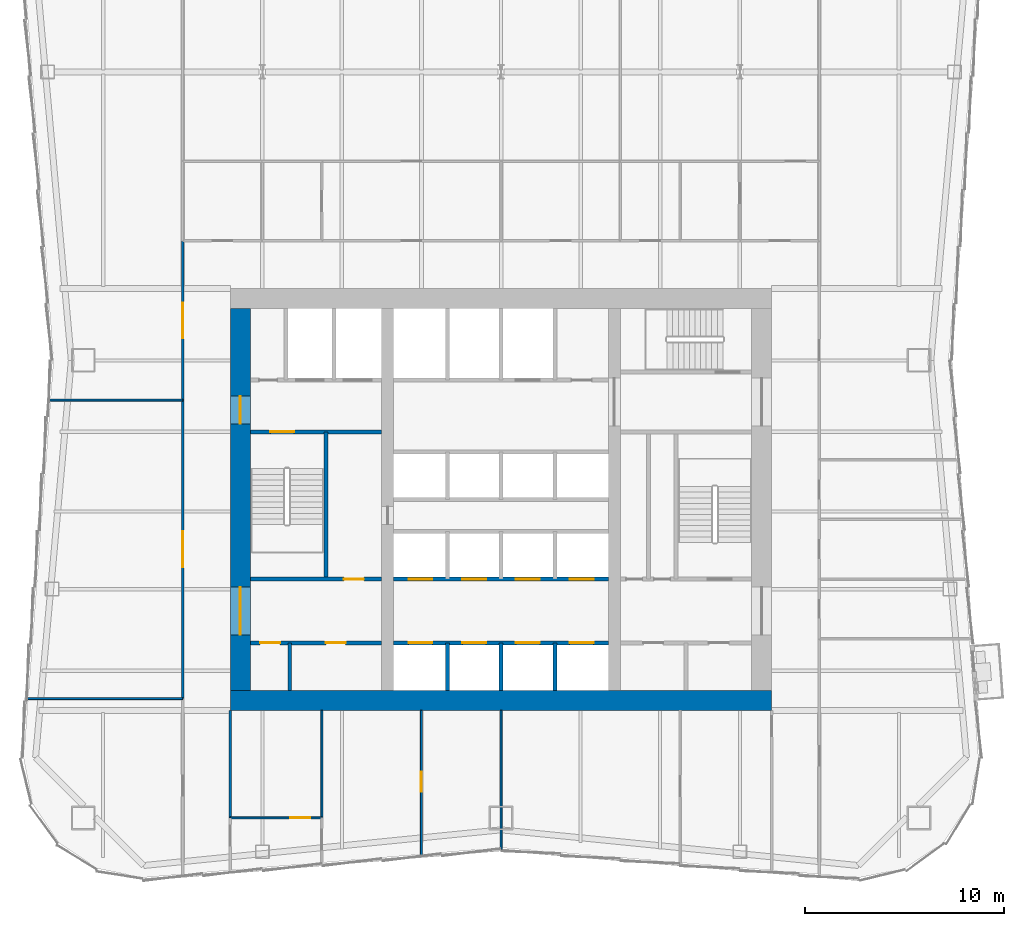
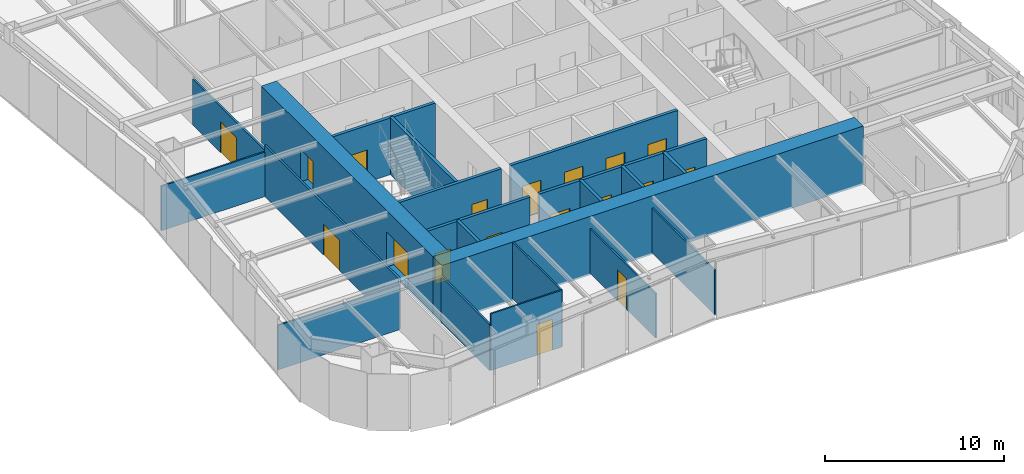
# One storey, part 4 of 9: 21 walls, 18 doors, 18 openings.
"""IFC4 building model written with IfcOpenShell, lengths in metres."""

from ifc_helpers import new_model, si_unit, direction, frame, frame_2d, origin, place, context, subcontext, project, spatial, rectangle, extrude, material, layer, layer_set, type_object, element, fill, save


model = new_model("IFC4")

# Units and contexts
model_context = context("Model", 3, precision=1e-05, world=origin(), true_north=direction((0.0, 1.0)))
body_context = subcontext(model_context, "Body", "Model", "MODEL_VIEW")
ifc_project = project(units=[si_unit("LENGTHUNIT", "METRE"), si_unit("AREAUNIT", "SQUARE_METRE"), si_unit("VOLUMEUNIT", "CUBIC_METRE"), si_unit("PLANEANGLEUNIT", "RADIAN"), si_unit("MASSUNIT", "GRAM", prefix="KILO")], contexts=[model_context])

# Site, building, storey
site_placement = place(None, origin())
site = spatial("IfcSite", under=ifc_project, at=site_placement, CompositionType="ELEMENT")
building_placement = place(site_placement, origin())
building = spatial("IfcBuilding", under=site, at=building_placement, Name="Verdant Reach Tower", CompositionType="ELEMENT")
storey_placement = place(building_placement, frame((0.0, 0.0, 142.0)))
storey = spatial("IfcBuildingStorey", under=building, at=storey_placement, Name="L32", CompositionType="ELEMENT", Elevation=142.0)

# Wall, openings, doors
ifc_material_1 = material(Name="Gypsum board on steel studs", Category="steel")
ifc_layer_1 = layer(ifc_material_1, 0.199951171875)
ifc_layer_set_1 = layer_set([ifc_layer_1], Name="CO-WALL-ROOM")
wall_type_1 = type_object("IfcWallType", Name="CO-WALL-ROOM", PredefinedType="PARTITIONING", material=ifc_layer_set_1)
wall_1_placement = place(storey_placement, frame((-12.60009765625, 20.800048828125, 0.0), z_axis=(0.0, 0.0, 1.0), x_axis=(1.0, 0.0, 0.0)))
wall_1 = element("IfcWall", 1, at=wall_1_placement, inside=storey, type_object=wall_type_1, Name="Core partition, L32", PredefinedType="PARTITIONING", context=body_context, shape_type="SweptSolid", body=[
    extrude(rectangle(XDim=6.60009765625, YDim=0.199951171875, at=frame_2d((3.300048828125, 0.0))), origin(), (0.0, 0.0, 1.0), 3.8701171875),
])
opening_1_placement = place(wall_1_placement, frame((0.489990234375, 0.0, 0.0)))
opening_1 = element("IfcOpeningElement", 2, at=opening_1_placement, cuts=wall_1, Name="Opening CD", PredefinedType="OPENING", context=body_context, shape_type="SweptSolid", body=[
    extrude(rectangle(XDim=1.0, YDim=2.10009765625, at=frame_2d((0.5, 1.050048828125))), frame((0.0, 0.10986328125, 0.0), z_axis=(0.0, -1.0, 0.0), x_axis=(1.0, 0.0, 0.0)), (0.0, 0.0, 1.0), 0.219970703125),
])
opening_2_placement = place(wall_1_placement, frame((3.7900390625, 0.0, 0.0)))
opening_2 = element("IfcOpeningElement", 3, at=opening_2_placement, cuts=wall_1, Name="Opening CD", PredefinedType="OPENING", context=body_context, shape_type="SweptSolid", body=[
    extrude(rectangle(XDim=1.0, YDim=2.10009765625, at=frame_2d((0.5, 1.050048828125))), frame((0.0, 0.10986328125, 0.0), z_axis=(0.0, -1.0, 0.0), x_axis=(1.0, 0.0, 0.0)), (0.0, 0.0, 1.0), 0.219970703125),
])
ifc_material_2 = material(Name="Timber", Category="wood")
door_type_1 = type_object("IfcDoorType", Name="CO-DOOR-ROOM", OperationType="NOTDEFINED", PredefinedType="DOOR", material=ifc_material_2)
door_1_placement = place(opening_1_placement, origin())
door_1 = element("IfcDoor", 4, at=door_1_placement, inside=storey, type_object=door_type_1, Name="Core room door, L32", OperationType="SINGLE_SWING_RIGHT", OverallHeight=2.10009765625, OverallWidth=1.0, PredefinedType="DOOR", context=body_context, shape_type="SweptSolid", body=[
    extrude(rectangle(XDim=1.0, YDim=2.10009765625, at=frame_2d((0.5, 1.050048828125))), frame((0.0, 0.02490234375, 0.0), z_axis=(0.0, -1.0, 0.0), x_axis=(1.0, 0.0, 0.0)), (0.0, 0.0, 1.0), 0.050048828125),
])
fill(opening_1, door_1)
door_2_placement = place(opening_2_placement, origin())
door_2 = element("IfcDoor", 5, at=door_2_placement, inside=storey, type_object=door_type_1, Name="Core room door, L32", OperationType="SINGLE_SWING_RIGHT", OverallHeight=2.10009765625, OverallWidth=1.0, PredefinedType="DOOR", context=body_context, shape_type="SweptSolid", body=[
    extrude(rectangle(XDim=1.0, YDim=2.10009765625, at=frame_2d((0.5, 1.050048828125))), frame((0.0, 0.02490234375, 0.0), z_axis=(0.0, -1.0, 0.0), x_axis=(1.0, 0.0, 0.0)), (0.0, 0.0, 1.0), 0.050048828125),
])
fill(opening_2, door_2)

# Wall
wall_2_placement = place(storey_placement, frame((-10.6201171875, 18.39990234375, 0.0), z_axis=(0.0, 0.0, 1.0), x_axis=(0.0, 1.0, 0.0)))
element("IfcWall", 6, at=wall_2_placement, inside=storey, type_object=wall_type_1, Name="Core partition, L32", PredefinedType="PARTITIONING", context=body_context, shape_type="SweptSolid", body=[
    extrude(rectangle(XDim=2.400146484375, YDim=0.199951171875, at=frame_2d((1.2001953125, 0.0))), origin(), (0.0, 0.0, 1.0), 3.8701171875),
])

# Wall, openings, doors
ifc_material_3 = material(Name="Concrete C40/50", Category="concrete")
ifc_layer_2 = layer(ifc_material_3, 0.199951171875)
ifc_layer_set_2 = layer_set([ifc_layer_2], Name="CO-WALL-SHAFT")
wall_type_2 = type_object("IfcWallType", Name="CO-WALL-SHAFT", PredefinedType="PARTITIONING", material=ifc_layer_set_2)
wall_3_placement = place(storey_placement, frame((-5.39990234375, 20.800048828125, 0.0), z_axis=(0.0, 0.0, 1.0), x_axis=(1.0, 0.0, 0.0)))
wall_3 = element("IfcWall", 7, at=wall_3_placement, inside=storey, type_object=wall_type_2, Name="Lift shaft wall, L32", PredefinedType="PARTITIONING", context=body_context, shape_type="SweptSolid", body=[
    extrude(rectangle(XDim=10.7998046875, YDim=0.199951171875, at=frame_2d((5.39990234375, 0.0))), origin(), (0.0, 0.0, 1.0), 3.8701171875),
])
opening_3_placement = place(wall_3_placement, frame((0.75, 0.0, 0.0)))
opening_3 = element("IfcOpeningElement", 8, at=opening_3_placement, cuts=wall_3, Name="Opening LD-A1", PredefinedType="OPENING", context=body_context, shape_type="SweptSolid", body=[
    extrude(rectangle(XDim=1.199951171875, YDim=2.199951171875, at=frame_2d((0.60009765625, 1.10009765625))), frame((0.0, 0.10986328125, 0.0), z_axis=(0.0, -1.0, 0.0), x_axis=(1.0, 0.0, 0.0)), (0.0, 0.0, 1.0), 0.219970703125),
])
opening_4_placement = place(wall_3_placement, frame((3.449951171875, 0.0, 0.0)))
opening_4 = element("IfcOpeningElement", 9, at=opening_4_placement, cuts=wall_3, Name="Opening LD-A2", PredefinedType="OPENING", context=body_context, shape_type="SweptSolid", body=[
    extrude(rectangle(XDim=1.199951171875, YDim=2.199951171875, at=frame_2d((0.60009765625, 1.10009765625))), frame((0.0, 0.10986328125, 0.0), z_axis=(0.0, -1.0, 0.0), x_axis=(1.0, 0.0, 0.0)), (0.0, 0.0, 1.0), 0.219970703125),
])
opening_5_placement = place(wall_3_placement, frame((6.14990234375, 0.0, 0.0)))
opening_5 = element("IfcOpeningElement", 10, at=opening_5_placement, cuts=wall_3, Name="Opening LD-A3", PredefinedType="OPENING", context=body_context, shape_type="SweptSolid", body=[
    extrude(rectangle(XDim=1.199951171875, YDim=2.199951171875, at=frame_2d((0.60009765625, 1.10009765625))), frame((0.0, 0.10986328125, 0.0), z_axis=(0.0, -1.0, 0.0), x_axis=(1.0, 0.0, 0.0)), (0.0, 0.0, 1.0), 0.219970703125),
])
opening_6_placement = place(wall_3_placement, frame((8.85009765625, 0.0, 0.0)))
opening_6 = element("IfcOpeningElement", 11, at=opening_6_placement, cuts=wall_3, Name="Opening LD-A4", PredefinedType="OPENING", context=body_context, shape_type="SweptSolid", body=[
    extrude(rectangle(XDim=1.199951171875, YDim=2.199951171875, at=frame_2d((0.60009765625, 1.10009765625))), frame((0.0, 0.10986328125, 0.0), z_axis=(0.0, -1.0, 0.0), x_axis=(1.0, 0.0, 0.0)), (0.0, 0.0, 1.0), 0.219970703125),
])
ifc_material_4 = material(Name="Stainless steel", Category="steel")
door_type_2 = type_object("IfcDoorType", Name="CO-DOOR-LANDING", OperationType="SLIDING_TO_LEFT", PredefinedType="DOOR", material=ifc_material_4)
door_3_placement = place(opening_3_placement, origin())
door_3 = element("IfcDoor", 12, at=door_3_placement, inside=storey, type_object=door_type_2, Name="Landing door A1, L32", OperationType="SLIDING_TO_LEFT", OverallHeight=2.199951171875, OverallWidth=1.199951171875, PredefinedType="DOOR", context=body_context, shape_type="SweptSolid", body=[
    extrude(rectangle(XDim=1.199951171875, YDim=2.199951171875, at=frame_2d((0.60009765625, 1.10009765625))), frame((0.0, 0.02490234375, 0.0), z_axis=(0.0, -1.0, 0.0), x_axis=(1.0, 0.0, 0.0)), (0.0, 0.0, 1.0), 0.050048828125),
])
fill(opening_3, door_3)
door_4_placement = place(opening_4_placement, origin())
door_4 = element("IfcDoor", 13, at=door_4_placement, inside=storey, type_object=door_type_2, Name="Landing door A2, L32", OperationType="SLIDING_TO_LEFT", OverallHeight=2.199951171875, OverallWidth=1.199951171875, PredefinedType="DOOR", context=body_context, shape_type="SweptSolid", body=[
    extrude(rectangle(XDim=1.199951171875, YDim=2.199951171875, at=frame_2d((0.60009765625, 1.10009765625))), frame((0.0, 0.02490234375, 0.0), z_axis=(0.0, -1.0, 0.0), x_axis=(1.0, 0.0, 0.0)), (0.0, 0.0, 1.0), 0.050048828125),
])
fill(opening_4, door_4)
door_5_placement = place(opening_5_placement, origin())
door_5 = element("IfcDoor", 14, at=door_5_placement, inside=storey, type_object=door_type_2, Name="Landing door A3, L32", OperationType="SLIDING_TO_LEFT", OverallHeight=2.199951171875, OverallWidth=1.199951171875, PredefinedType="DOOR", context=body_context, shape_type="SweptSolid", body=[
    extrude(rectangle(XDim=1.199951171875, YDim=2.199951171875, at=frame_2d((0.60009765625, 1.10009765625))), frame((0.0, 0.02490234375, 0.0), z_axis=(0.0, -1.0, 0.0), x_axis=(1.0, 0.0, 0.0)), (0.0, 0.0, 1.0), 0.050048828125),
])
fill(opening_5, door_5)
door_6_placement = place(opening_6_placement, origin())
door_6 = element("IfcDoor", 15, at=door_6_placement, inside=storey, type_object=door_type_2, Name="Landing door A4, L32", OperationType="SLIDING_TO_LEFT", OverallHeight=2.199951171875, OverallWidth=1.199951171875, PredefinedType="DOOR", context=body_context, shape_type="SweptSolid", body=[
    extrude(rectangle(XDim=1.199951171875, YDim=2.199951171875, at=frame_2d((0.60009765625, 1.10009765625))), frame((0.0, 0.02490234375, 0.0), z_axis=(0.0, -1.0, 0.0), x_axis=(1.0, 0.0, 0.0)), (0.0, 0.0, 1.0), 0.050048828125),
])
fill(opening_6, door_6)

wall_4_placement = place(storey_placement, frame((-5.39990234375, 24.0, 0.0), z_axis=(0.0, 0.0, 1.0), x_axis=(1.0, 0.0, 0.0)))
wall_4 = element("IfcWall", 16, at=wall_4_placement, inside=storey, type_object=wall_type_2, Name="Lift shaft wall, L32", PredefinedType="PARTITIONING", context=body_context, shape_type="SweptSolid", body=[
    extrude(rectangle(XDim=10.7998046875, YDim=0.199951171875, at=frame_2d((5.39990234375, 0.0))), origin(), (0.0, 0.0, 1.0), 3.8701171875),
])
opening_7_placement = place(wall_4_placement, frame((0.75, 0.0, 0.0)))
opening_7 = element("IfcOpeningElement", 17, at=opening_7_placement, cuts=wall_4, Name="Opening LD-A5", PredefinedType="OPENING", context=body_context, shape_type="SweptSolid", body=[
    extrude(rectangle(XDim=1.199951171875, YDim=2.199951171875, at=frame_2d((0.60009765625, 1.10009765625))), frame((0.0, 0.10986328125, 0.0), z_axis=(0.0, -1.0, 0.0), x_axis=(1.0, 0.0, 0.0)), (0.0, 0.0, 1.0), 0.219970703125),
])
opening_8_placement = place(wall_4_placement, frame((3.449951171875, 0.0, 0.0)))
opening_8 = element("IfcOpeningElement", 18, at=opening_8_placement, cuts=wall_4, Name="Opening LD-A6", PredefinedType="OPENING", context=body_context, shape_type="SweptSolid", body=[
    extrude(rectangle(XDim=1.199951171875, YDim=2.199951171875, at=frame_2d((0.60009765625, 1.10009765625))), frame((0.0, 0.10986328125, 0.0), z_axis=(0.0, -1.0, 0.0), x_axis=(1.0, 0.0, 0.0)), (0.0, 0.0, 1.0), 0.219970703125),
])
opening_9_placement = place(wall_4_placement, frame((6.14990234375, 0.0, 0.0)))
opening_9 = element("IfcOpeningElement", 19, at=opening_9_placement, cuts=wall_4, Name="Opening LD-A7", PredefinedType="OPENING", context=body_context, shape_type="SweptSolid", body=[
    extrude(rectangle(XDim=1.199951171875, YDim=2.199951171875, at=frame_2d((0.60009765625, 1.10009765625))), frame((0.0, 0.10986328125, 0.0), z_axis=(0.0, -1.0, 0.0), x_axis=(1.0, 0.0, 0.0)), (0.0, 0.0, 1.0), 0.219970703125),
])
opening_10_placement = place(wall_4_placement, frame((8.85009765625, 0.0, 0.0)))
opening_10 = element("IfcOpeningElement", 20, at=opening_10_placement, cuts=wall_4, Name="Opening LD-A8", PredefinedType="OPENING", context=body_context, shape_type="SweptSolid", body=[
    extrude(rectangle(XDim=1.199951171875, YDim=2.199951171875, at=frame_2d((0.60009765625, 1.10009765625))), frame((0.0, 0.10986328125, 0.0), z_axis=(0.0, -1.0, 0.0), x_axis=(1.0, 0.0, 0.0)), (0.0, 0.0, 1.0), 0.219970703125),
])
door_7_placement = place(opening_7_placement, origin())
door_7 = element("IfcDoor", 21, at=door_7_placement, inside=storey, type_object=door_type_2, Name="Landing door A5, L32", OperationType="SLIDING_TO_LEFT", OverallHeight=2.199951171875, OverallWidth=1.199951171875, PredefinedType="DOOR", context=body_context, shape_type="SweptSolid", body=[
    extrude(rectangle(XDim=1.199951171875, YDim=2.199951171875, at=frame_2d((0.60009765625, 1.10009765625))), frame((0.0, 0.02490234375, 0.0), z_axis=(0.0, -1.0, 0.0), x_axis=(1.0, 0.0, 0.0)), (0.0, 0.0, 1.0), 0.050048828125),
])
fill(opening_7, door_7)
door_8_placement = place(opening_8_placement, origin())
door_8 = element("IfcDoor", 22, at=door_8_placement, inside=storey, type_object=door_type_2, Name="Landing door A6, L32", OperationType="SLIDING_TO_LEFT", OverallHeight=2.199951171875, OverallWidth=1.199951171875, PredefinedType="DOOR", context=body_context, shape_type="SweptSolid", body=[
    extrude(rectangle(XDim=1.199951171875, YDim=2.199951171875, at=frame_2d((0.60009765625, 1.10009765625))), frame((0.0, 0.02490234375, 0.0), z_axis=(0.0, -1.0, 0.0), x_axis=(1.0, 0.0, 0.0)), (0.0, 0.0, 1.0), 0.050048828125),
])
fill(opening_8, door_8)
door_9_placement = place(opening_9_placement, origin())
door_9 = element("IfcDoor", 23, at=door_9_placement, inside=storey, type_object=door_type_2, Name="Landing door A7, L32", OperationType="SLIDING_TO_LEFT", OverallHeight=2.199951171875, OverallWidth=1.199951171875, PredefinedType="DOOR", context=body_context, shape_type="SweptSolid", body=[
    extrude(rectangle(XDim=1.199951171875, YDim=2.199951171875, at=frame_2d((0.60009765625, 1.10009765625))), frame((0.0, 0.02490234375, 0.0), z_axis=(0.0, -1.0, 0.0), x_axis=(1.0, 0.0, 0.0)), (0.0, 0.0, 1.0), 0.050048828125),
])
fill(opening_9, door_9)
door_10_placement = place(opening_10_placement, origin())
door_10 = element("IfcDoor", 24, at=door_10_placement, inside=storey, type_object=door_type_2, Name="Landing door A8, L32", OperationType="SLIDING_TO_LEFT", OverallHeight=2.199951171875, OverallWidth=1.199951171875, PredefinedType="DOOR", context=body_context, shape_type="SweptSolid", body=[
    extrude(rectangle(XDim=1.199951171875, YDim=2.199951171875, at=frame_2d((0.60009765625, 1.10009765625))), frame((0.0, 0.02490234375, 0.0), z_axis=(0.0, -1.0, 0.0), x_axis=(1.0, 0.0, 0.0)), (0.0, 0.0, 1.0), 0.050048828125),
])
fill(opening_10, door_10)

# Walls
for number, where, z_axis, x_axis, name in (
    (25, (-2.699951171875, 18.39990234375, 0.0), (0.0, 0.0, 1.0), (0.0, 1.0, 0.0), "Lift shaft wall, L32"),
    (26, (0.0, 18.39990234375, 0.0), (0.0, 0.0, 1.0), (0.0, 1.0, 0.0), "Lift shaft wall, L32"),
    (27, (2.699951171875, 18.39990234375, 0.0), (0.0, 0.0, 1.0), (0.0, 1.0, 0.0), "Lift shaft wall, L32"),
):
    element("IfcWall", number, at=place(storey_placement, frame(where, z_axis=z_axis, x_axis=x_axis)), inside=storey, type_object=wall_type_2, Name=name, PredefinedType="PARTITIONING", context=body_context, shape_type="SweptSolid", body=[
        extrude(rectangle(XDim=2.400146484375, YDim=0.199951171875, at=frame_2d((1.2001953125, 0.0))), origin(), (0.0, 0.0, 1.0), 3.8701171875),
    ])

# Wall, opening, door
ifc_layer_3 = layer(ifc_material_3, 0.199951171875)
ifc_layer_set_3 = layer_set([ifc_layer_3], Name="CO-WALL-STAIR")
wall_type_3 = type_object("IfcWallType", Name="CO-WALL-STAIR", PredefinedType="PARTITIONING", material=ifc_layer_set_3)
wall_5_placement = place(storey_placement, frame((-12.60009765625, 24.0, 0.0), z_axis=(0.0, 0.0, 1.0), x_axis=(1.0, 0.0, 0.0)))
wall_5 = element("IfcWall", 28, at=wall_5_placement, inside=storey, type_object=wall_type_3, Name="Stair enclosure wall, L32", PredefinedType="PARTITIONING", context=body_context, shape_type="SweptSolid", body=[
    extrude(rectangle(XDim=6.60009765625, YDim=0.199951171875, at=frame_2d((3.300048828125, 0.0))), origin(), (0.0, 0.0, 1.0), 3.8701171875),
])
opening_11_placement = place(wall_5_placement, frame((4.699951171875, 0.0, 0.0)))
opening_11 = element("IfcOpeningElement", 29, at=opening_11_placement, cuts=wall_5, Name="Opening CD", PredefinedType="OPENING", context=body_context, shape_type="SweptSolid", body=[
    extrude(rectangle(XDim=1.0, YDim=2.10009765625, at=frame_2d((0.5, 1.050048828125))), frame((0.0, 0.10986328125, 0.0), z_axis=(0.0, -1.0, 0.0), x_axis=(1.0, 0.0, 0.0)), (0.0, 0.0, 1.0), 0.219970703125),
])
door_11_placement = place(opening_11_placement, origin())
door_11 = element("IfcDoor", 30, at=door_11_placement, inside=storey, type_object=door_type_1, Name="Core room door, L32", OperationType="SINGLE_SWING_RIGHT", OverallHeight=2.10009765625, OverallWidth=1.0, PredefinedType="DOOR", context=body_context, shape_type="SweptSolid", body=[
    extrude(rectangle(XDim=1.0, YDim=2.10009765625, at=frame_2d((0.5, 1.050048828125))), frame((0.0, 0.02490234375, 0.0), z_axis=(0.0, -1.0, 0.0), x_axis=(1.0, 0.0, 0.0)), (0.0, 0.0, 1.0), 0.050048828125),
])
fill(opening_11, door_11)

wall_6_placement = place(storey_placement, frame((-12.60009765625, 31.39990234375, 0.0), z_axis=(0.0, 0.0, 1.0), x_axis=(1.0, 0.0, 0.0)))
wall_6 = element("IfcWall", 31, at=wall_6_placement, inside=storey, type_object=wall_type_3, Name="Stair enclosure wall, L32", PredefinedType="PARTITIONING", context=body_context, shape_type="SweptSolid", body=[
    extrude(rectangle(XDim=6.60009765625, YDim=0.199951171875, at=frame_2d((3.300048828125, 0.0))), origin(), (0.0, 0.0, 1.0), 3.8701171875),
])
opening_12_placement = place(wall_6_placement, frame((1.0, 0.0, 0.0)))
opening_12 = element("IfcOpeningElement", 32, at=opening_12_placement, cuts=wall_6, Name="Opening SD", PredefinedType="OPENING", context=body_context, shape_type="SweptSolid", body=[
    extrude(rectangle(XDim=1.199951171875, YDim=2.199951171875, at=frame_2d((0.60009765625, 1.10009765625))), frame((0.0, 0.10986328125, 0.0), z_axis=(0.0, -1.0, 0.0), x_axis=(1.0, 0.0, 0.0)), (0.0, 0.0, 1.0), 0.219970703125),
])
ifc_material_5 = material(Name="Steel", Category="steel")
door_type_3 = type_object("IfcDoorType", Name="CO-DOOR-STAIR", OperationType="NOTDEFINED", PredefinedType="DOOR", material=ifc_material_5)
door_12_placement = place(opening_12_placement, origin())
door_12 = element("IfcDoor", 33, at=door_12_placement, inside=storey, type_object=door_type_3, Name="Stair door, L32", OperationType="SINGLE_SWING_LEFT", OverallHeight=2.199951171875, OverallWidth=1.199951171875, PredefinedType="DOOR", context=body_context, shape_type="SweptSolid", body=[
    extrude(rectangle(XDim=1.199951171875, YDim=2.199951171875, at=frame_2d((0.60009765625, 1.10009765625))), frame((0.0, 0.02490234375, 0.0), z_axis=(0.0, -1.0, 0.0), x_axis=(1.0, 0.0, 0.0)), (0.0, 0.0, 1.0), 0.050048828125),
])
fill(opening_12, door_12)

# Walls
wall_7_placement = place(storey_placement, frame((-8.800048828125, 24.0, 0.0), z_axis=(0.0, 0.0, 1.0), x_axis=(0.0, 1.0, 0.0)))
element("IfcWall", 34, at=wall_7_placement, inside=storey, type_object=wall_type_3, Name="Stair enclosure wall, L32", PredefinedType="PARTITIONING", context=body_context, shape_type="SweptSolid", body=[
    extrude(rectangle(XDim=7.39990234375, YDim=0.199951171875, at=frame_2d((3.699951171875, 0.0))), origin(), (0.0, 0.0, 1.0), 3.8701171875),
])
ifc_layer_4 = layer(ifc_material_1, 0.10009765625)
ifc_layer_set_4 = layer_set([ifc_layer_4], Name="FL-W1 Partition 100")
wall_type_4 = type_object("IfcWallType", Name="FL-W1 Partition 100", PredefinedType="PARTITIONING", material=ifc_layer_set_4)
wall_8_placement = place(storey_placement, frame((-16.0, 18.0, 0.0), z_axis=(0.0, 0.0, 1.0), x_axis=(-1.0, 0.0, 0.0)))
element("IfcWall", 35, at=wall_8_placement, inside=storey, type_object=wall_type_4, Name="Partition 32.19", PredefinedType="PARTITIONING", context=body_context, shape_type="SweptSolid", body=[
    extrude(rectangle(XDim=7.85498046875, YDim=0.10009765625, at=frame_2d((3.927490234375, 0.0))), origin(), (0.0, 0.0, 1.0), 3.0400390625),
])
wall_9_placement = place(storey_placement, frame((-16.0, 33.0, 0.0), z_axis=(0.0, 0.0, 1.0), x_axis=(-1.0, 0.0, 0.0)))
element("IfcWall", 36, at=wall_9_placement, inside=storey, type_object=wall_type_4, Name="Partition 32.20", PredefinedType="PARTITIONING", context=body_context, shape_type="SweptSolid", body=[
    extrude(rectangle(XDim=6.72998046875, YDim=0.10009765625, at=frame_2d((3.364990234375, 0.0))), origin(), (0.0, 0.0, 1.0), 3.0400390625),
])

# Wall, opening, door
wall_10_placement = place(storey_placement, frame((-13.60009765625, 12.0, 0.0), z_axis=(0.0, 0.0, 1.0), x_axis=(1.0, 0.0, 0.0)))
wall_10 = element("IfcWall", 37, at=wall_10_placement, inside=storey, type_object=wall_type_4, Name="Partition 32.31", PredefinedType="PARTITIONING", context=body_context, shape_type="SweptSolid", body=[
    extrude(rectangle(XDim=4.60009765625, YDim=0.10009765625, at=frame_2d((2.300048828125, 0.0))), origin(), (0.0, 0.0, 1.0), 3.8701171875),
])
opening_13_placement = place(wall_10_placement, frame((3.0, 0.0, 0.0)))
opening_13 = element("IfcOpeningElement", 38, at=opening_13_placement, cuts=wall_10, Name="Opening D3", PredefinedType="OPENING", context=body_context, shape_type="SweptSolid", body=[
    extrude(rectangle(XDim=1.0, YDim=2.10009765625, at=frame_2d((0.5, 1.050048828125))), frame((0.0, 0.06005859375, 0.0), z_axis=(0.0, -1.0, 0.0), x_axis=(1.0, 0.0, 0.0)), (0.0, 0.0, 1.0), 0.1201171875),
])
ifc_material_6 = material(Name="Painted timber door leaf", Category="wood")
door_type_4 = type_object("IfcDoorType", Name="FL-D3 Door 1000x2100", OperationType="NOTDEFINED", PredefinedType="DOOR", material=ifc_material_6)
door_13_placement = place(opening_13_placement, origin())
door_13 = element("IfcDoor", 39, at=door_13_placement, inside=storey, type_object=door_type_4, Name="Door 32-016", OperationType="SINGLE_SWING_RIGHT", OverallHeight=2.10009765625, OverallWidth=1.0, PredefinedType="DOOR", context=body_context, shape_type="SweptSolid", body=[
    extrude(rectangle(XDim=1.0, YDim=2.10009765625, at=frame_2d((0.5, 1.050048828125))), frame((0.0, 0.02490234375, 0.0), z_axis=(0.0, -1.0, 0.0), x_axis=(1.0, 0.0, 0.0)), (0.0, 0.0, 1.0), 0.050048828125),
])
fill(opening_13, door_13)

# Wall
wall_11_placement = place(storey_placement, frame((-9.0, 11.99609375, 0.0), z_axis=(0.0, 0.0, 1.0), x_axis=(0.0, 1.0, 0.0)))
element("IfcWall", 40, at=wall_11_placement, inside=storey, type_object=wall_type_4, Name="Partition 32.33", PredefinedType="PARTITIONING", context=body_context, shape_type="SweptSolid", body=[
    extrude(rectangle(XDim=5.40380859375, YDim=0.10009765625, at=frame_2d((2.701904296875, 0.0))), origin(), (0.0, 0.0, 1.0), 3.8701171875),
])

# Wall, opening, door
wall_12_placement = place(storey_placement, frame((-4.0, 17.39990234375, 0.0), z_axis=(0.0, 0.0, 1.0), x_axis=(0.0, -1.0, 0.0)))
wall_12 = element("IfcWall", 41, at=wall_12_placement, inside=storey, type_object=wall_type_4, Name="Partition 32.34", PredefinedType="PARTITIONING", context=body_context, shape_type="SweptSolid", body=[
    extrude(rectangle(XDim=7.313232421875, YDim=0.10009765625, at=frame_2d((3.65673828125, 0.0))), origin(), (0.0, 0.0, 1.0), 3.0400390625),
])
opening_14_placement = place(wall_12_placement, frame((3.091552734375, 0.0, 0.0)))
opening_14 = element("IfcOpeningElement", 42, at=opening_14_placement, cuts=wall_12, Name="Opening D3", PredefinedType="OPENING", context=body_context, shape_type="SweptSolid", body=[
    extrude(rectangle(XDim=1.0, YDim=2.10009765625, at=frame_2d((0.5, 1.050048828125))), frame((0.0, 0.06005859375, 0.0), z_axis=(0.0, -1.0, 0.0), x_axis=(1.0, 0.0, 0.0)), (0.0, 0.0, 1.0), 0.1201171875),
])
door_14_placement = place(opening_14_placement, origin())
door_14 = element("IfcDoor", 43, at=door_14_placement, inside=storey, type_object=door_type_4, Name="Door 32-018", OperationType="SINGLE_SWING_LEFT", OverallHeight=2.10009765625, OverallWidth=1.0, PredefinedType="DOOR", context=body_context, shape_type="SweptSolid", body=[
    extrude(rectangle(XDim=1.0, YDim=2.10009765625, at=frame_2d((0.5, 1.050048828125))), frame((0.0, 0.02490234375, 0.0), z_axis=(0.0, -1.0, 0.0), x_axis=(1.0, 0.0, 0.0)), (0.0, 0.0, 1.0), 0.050048828125),
])
fill(opening_14, door_14)

# Wall
wall_13_placement = place(storey_placement, frame((0.0, 10.419921875, 0.0), z_axis=(0.0, 0.0, 1.0), x_axis=(0.0, 1.0, 0.0)))
element("IfcWall", 44, at=wall_13_placement, inside=storey, type_object=wall_type_4, Name="Partition 32.35", PredefinedType="PARTITIONING", context=body_context, shape_type="SweptSolid", body=[
    extrude(rectangle(XDim=6.97998046875, YDim=0.10009765625, at=frame_2d((3.489990234375, 0.0))), origin(), (0.0, 0.0, 1.0), 3.0400390625),
])

# Wall, opening, door
ifc_material_7 = material(Name="Gypsum board on steel studs, fire rated", Category="steel")
ifc_layer_5 = layer(ifc_material_7, 0.125)
ifc_layer_set_5 = layer_set([ifc_layer_5], Name="FL-W2 Corridor wall 125")
wall_type_5 = type_object("IfcWallType", Name="FL-W2 Corridor wall 125", PredefinedType="PARTITIONING", material=ifc_layer_set_5)
wall_14_placement = place(storey_placement, frame((-16.0, 33.0, 0.0), z_axis=(0.0, 0.0, 1.0), x_axis=(0.0, -1.0, 0.0)))
wall_14 = element("IfcWall", 45, at=wall_14_placement, inside=storey, type_object=wall_type_5, Name="Partition 32.02", PredefinedType="PARTITIONING", context=body_context, shape_type="SweptSolid", body=[
    extrude(rectangle(XDim=15.0, YDim=0.125, at=frame_2d((7.5, 0.0))), origin(), (0.0, 0.0, 1.0), 3.47998046875),
])
opening_15_placement = place(wall_14_placement, frame((6.60009765625, 0.0, 0.0)))
opening_15 = element("IfcOpeningElement", 46, at=opening_15_placement, cuts=wall_14, Name="Opening D4", PredefinedType="OPENING", context=body_context, shape_type="SweptSolid", body=[
    extrude(rectangle(XDim=1.800048828125, YDim=2.10009765625, at=frame_2d((0.89990234375, 1.050048828125))), frame((0.0, 0.072509765625, 0.0), z_axis=(0.0, -1.0, 0.0), x_axis=(1.0, 0.0, 0.0)), (0.0, 0.0, 1.0), 0.14501953125),
])
ifc_material_8 = material(Name="Timber door leaves, fire rated", Category="wood")
door_type_5 = type_object("IfcDoorType", Name="FL-D4 Double door 1800x2100 FD30", OperationType="DOUBLE_DOOR_SINGLE_SWING", PredefinedType="DOOR", material=ifc_material_8)
door_15_placement = place(opening_15_placement, origin())
door_15 = element("IfcDoor", 47, at=door_15_placement, inside=storey, type_object=door_type_5, Name="Door 32-002", OperationType="DOUBLE_DOOR_SINGLE_SWING", OverallHeight=2.10009765625, OverallWidth=1.800048828125, PredefinedType="DOOR", context=body_context, shape_type="SweptSolid", body=[
    extrude(rectangle(XDim=1.800048828125, YDim=2.10009765625, at=frame_2d((0.89990234375, 1.050048828125))), frame((0.0, 0.02490234375, 0.0), z_axis=(0.0, -1.0, 0.0), x_axis=(1.0, 0.0, 0.0)), (0.0, 0.0, 1.0), 0.050048828125),
])
fill(opening_15, door_15)

wall_15_placement = place(storey_placement, frame((-16.0, 41.00390625, 0.0), z_axis=(0.0, 0.0, 1.0), x_axis=(0.0, -1.0, 0.0)))
wall_15 = element("IfcWall", 48, at=wall_15_placement, inside=storey, type_object=wall_type_5, Name="Partition 32.03", PredefinedType="PARTITIONING", context=body_context, shape_type="SweptSolid", body=[
    extrude(rectangle(XDim=8.00390625, YDim=0.125, at=frame_2d((4.001953125, 0.0))), origin(), (0.0, 0.0, 1.0), 3.139892578125),
])
opening_16_placement = place(wall_15_placement, frame((3.10205078125, 0.0, 0.0)))
opening_16 = element("IfcOpeningElement", 49, at=opening_16_placement, cuts=wall_15, Name="Opening D4", PredefinedType="OPENING", context=body_context, shape_type="SweptSolid", body=[
    extrude(rectangle(XDim=1.800048828125, YDim=2.10009765625, at=frame_2d((0.89990234375, 1.050048828125))), frame((0.0, 0.072509765625, 0.0), z_axis=(0.0, -1.0, 0.0), x_axis=(1.0, 0.0, 0.0)), (0.0, 0.0, 1.0), 0.14501953125),
])
door_16_placement = place(opening_16_placement, origin())
door_16 = element("IfcDoor", 50, at=door_16_placement, inside=storey, type_object=door_type_5, Name="Door 32-003", OperationType="DOUBLE_DOOR_SINGLE_SWING", OverallHeight=2.10009765625, OverallWidth=1.800048828125, PredefinedType="DOOR", context=body_context, shape_type="SweptSolid", body=[
    extrude(rectangle(XDim=1.800048828125, YDim=2.10009765625, at=frame_2d((0.89990234375, 1.050048828125))), frame((0.0, 0.02490234375, 0.0), z_axis=(0.0, -1.0, 0.0), x_axis=(1.0, 0.0, 0.0)), (0.0, 0.0, 1.0), 0.050048828125),
])
fill(opening_16, door_16)

# Walls
wall_16_placement = place(storey_placement, frame((-13.60009765625, 12.0, 0.0), z_axis=(0.0, 0.0, 1.0), x_axis=(0.0, 1.0, 0.0)))
element("IfcWall", 51, at=wall_16_placement, inside=storey, type_object=wall_type_5, Name="Partition 32.10", PredefinedType="PARTITIONING", context=body_context, shape_type="SweptSolid", body=[
    extrude(rectangle(XDim=5.39990234375, YDim=0.125, at=frame_2d((2.699951171875, 0.0))), origin(), (0.0, 0.0, 1.0), 3.139892578125),
])
ifc_material_9 = material(Name="Concrete C70/85", Category="concrete")
ifc_layer_6 = layer(ifc_material_9, 1.0)
ifc_layer_set_6 = layer_set([ifc_layer_6], Name="ST-CORE-WALL-1000")
wall_type_6 = type_object("IfcWallType", Name="ST-CORE-WALL-1000", PredefinedType="SHEAR", material=ifc_layer_set_6)
wall_17_placement = place(storey_placement, frame((-13.60009765625, 17.89990234375, -0.1298828125), z_axis=(0.0, 0.0, 1.0), x_axis=(1.0, 0.0, 0.0)))
element("IfcWall", 52, at=wall_17_placement, inside=storey, type_object=wall_type_6, Name="Core wall S, L32", PredefinedType="SHEAR", context=body_context, shape_type="SweptSolid", body=[
    extrude(rectangle(XDim=27.2001953125, YDim=1.0, at=frame_2d((13.60009765625, 0.0))), origin(), (0.0, 0.0, 1.0), 4.0),
])

# Wall, openings, doors
wall_18_placement = place(storey_placement, frame((-13.10009765625, 18.39990234375, -0.1298828125), z_axis=(0.0, 0.0, 1.0), x_axis=(0.0, 1.0, 0.0)))
wall_18 = element("IfcWall", 53, at=wall_18_placement, inside=storey, type_object=wall_type_6, Name="Core wall W, L32", PredefinedType="SHEAR", context=body_context, shape_type="SweptSolid", body=[
    extrude(rectangle(XDim=19.2001953125, YDim=1.0, at=frame_2d((9.60009765625, 0.0))), origin(), (0.0, 0.0, 1.0), 4.0),
])
opening_17_placement = place(wall_18_placement, frame((2.800048828125, 0.0, 0.1298828125)))
opening_17 = element("IfcOpeningElement", 54, at=opening_17_placement, cuts=wall_18, Name="Opening LB", PredefinedType="OPENING", context=body_context, shape_type="SweptSolid", body=[
    extrude(rectangle(XDim=2.39990234375, YDim=2.39990234375, at=frame_2d((1.199951171875, 1.199951171875))), frame((0.0, 0.510009765625, 0.0), z_axis=(0.0, -1.0, 0.0), x_axis=(1.0, 0.0, 0.0)), (0.0, 0.0, 1.0), 1.02001953125),
])
opening_18_placement = place(wall_18_placement, frame((13.39990234375, 0.0, 0.1298828125)))
opening_18 = element("IfcOpeningElement", 55, at=opening_18_placement, cuts=wall_18, Name="Opening FL", PredefinedType="OPENING", context=body_context, shape_type="SweptSolid", body=[
    extrude(rectangle(XDim=1.39990234375, YDim=2.199951171875, at=frame_2d((0.699951171875, 1.10009765625))), frame((0.0, 0.510009765625, 0.0), z_axis=(0.0, -1.0, 0.0), x_axis=(1.0, 0.0, 0.0)), (0.0, 0.0, 1.0), 1.02001953125),
])
door_type_6 = type_object("IfcDoorType", Name="CO-DOOR-FFL", OperationType="NOTDEFINED", PredefinedType="DOOR", material=ifc_material_5)
door_17_placement = place(opening_18_placement, origin())
door_17 = element("IfcDoor", 56, at=door_17_placement, inside=storey, type_object=door_type_6, Name="Core entrance door, L32", OperationType="SINGLE_SWING_LEFT", OverallHeight=2.199951171875, OverallWidth=1.39990234375, PredefinedType="DOOR", context=body_context, shape_type="SweptSolid", body=[
    extrude(rectangle(XDim=1.39990234375, YDim=2.199951171875, at=frame_2d((0.699951171875, 1.10009765625))), frame((0.0, 0.02490234375, 0.0), z_axis=(0.0, -1.0, 0.0), x_axis=(1.0, 0.0, 0.0)), (0.0, 0.0, 1.0), 0.050048828125),
])
fill(opening_18, door_17)
ifc_material_10 = material(Name="Glass and steel", Category="steel")
door_type_7 = type_object("IfcDoorType", Name="CO-DOOR-LOBBY", OperationType="DOUBLE_DOOR_SINGLE_SWING", PredefinedType="DOOR", material=ifc_material_10)
door_18_placement = place(opening_17_placement, origin())
door_18 = element("IfcDoor", 57, at=door_18_placement, inside=storey, type_object=door_type_7, Name="Core entrance door, L32", OperationType="DOUBLE_DOOR_SINGLE_SWING", OverallHeight=2.39990234375, OverallWidth=2.39990234375, PredefinedType="DOOR", context=body_context, shape_type="SweptSolid", body=[
    extrude(rectangle(XDim=2.39990234375, YDim=2.39990234375, at=frame_2d((1.199951171875, 1.199951171875))), frame((0.0, 0.02490234375, 0.0), z_axis=(0.0, -1.0, 0.0), x_axis=(1.0, 0.0, 0.0)), (0.0, 0.0, 1.0), 0.050048828125),
])
fill(opening_17, door_18)

save(model, "model.ifc")
